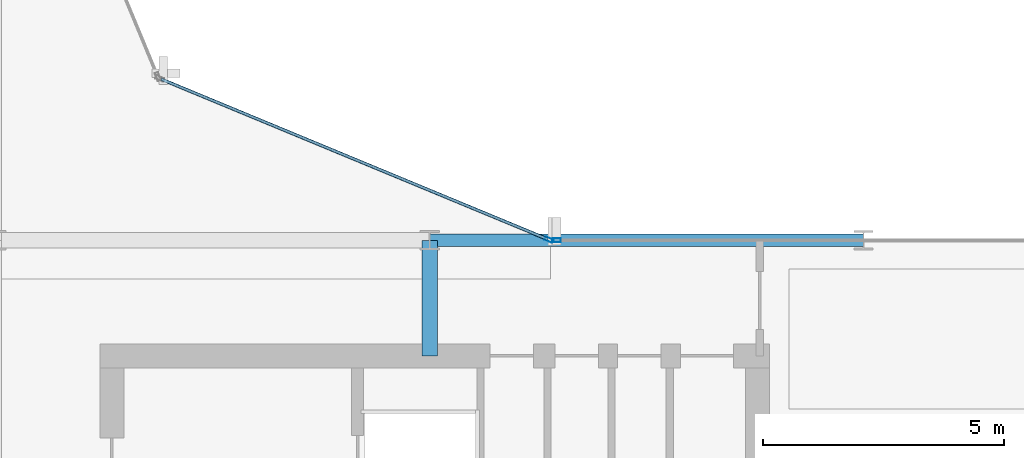
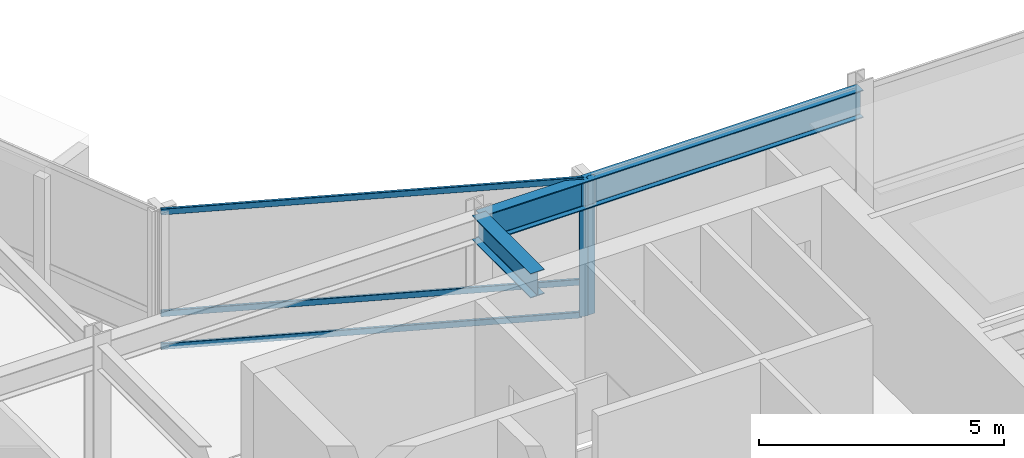
# One storey, part 12 of 28: 5 members, 2 beams, 2 elements without a shape of their own.
"""IFC4 building model written with IfcOpenShell, lengths in metres."""

from ifc_helpers import new_model, si_unit, direction, frame, origin, origin_2d, place, context, subcontext, project, spatial, hollow_rectangle, i_section, extrude, material, layer, layer_set, material_profile, profile_set, type_object, element, aggregate, save


model = new_model("IFC4")

# Units and contexts
model_context = context("Model", 3, precision=1e-05, world=origin(), true_north=direction((0.0, 1.0)))
body_context = subcontext(model_context, "Body", "Model", "MODEL_VIEW")
ifc_project = project(units=[si_unit("LENGTHUNIT", "METRE"), si_unit("AREAUNIT", "SQUARE_METRE"), si_unit("VOLUMEUNIT", "CUBIC_METRE"), si_unit("PLANEANGLEUNIT", "RADIAN"), si_unit("MASSUNIT", "GRAM", prefix="KILO")], contexts=[model_context])

# Site, building, storey
site_placement = place(None, origin())
site = spatial("IfcSite", under=ifc_project, at=site_placement, CompositionType="ELEMENT")
building_placement = place(site_placement, origin())
building = spatial("IfcBuilding", under=site, at=building_placement, Name="Solvaryn Broadcast Tower", CompositionType="ELEMENT")
storey_placement = place(building_placement, frame((0.0, 0.0, 213.60009765625)))
storey = spatial("IfcBuildingStorey", under=building, at=storey_placement, Name="L53", CompositionType="ELEMENT", Elevation=213.60009765625)

# Beams
ifc_material_1 = material(Name="Steel ASTM A992 Grade 50", Category="steel")
ifc_material_profile_1 = material_profile(ifc_material_1, i_section(OverallWidth=0.323974609375, OverallDepth=0.611083984375, WebThickness=0.0126953125, FlangeThickness=0.01904296875, FilletRadius=0.014892578125, at=origin_2d()))
ifc_profile_set_1 = profile_set([ifc_material_profile_1], Name="Steel ASTM A992 Grade 50")
beam_type_1 = type_object("IfcBeamType", Name="BM-B1-W24X104", PredefinedType="BEAM", material=ifc_profile_set_1)
beam_1_placement = place(storey_placement, frame((36.0, 24.60009765625, 3.114501953125), z_axis=(0.0, 1.0, 0.0), x_axis=(-1.0, 0.0, 0.0)))
element("IfcBeam", 1, at=beam_1_placement, inside=storey, type_object=beam_type_1, Name="L53 Core Tie Beam CTE2", PredefinedType="BEAM", context=body_context, shape_type="SweptSolid", body=[
    extrude(i_section(OverallWidth=0.323974609375, OverallDepth=0.611083984375, WebThickness=0.0126953125, FlangeThickness=0.01904296875, FilletRadius=0.014892578125, at=origin_2d()), origin(), (0.0, 0.0, 1.0), 2.39990234375),
])
ifc_material_2 = material(Name="Steel ASTM A992 Grade 50", Category="steel")
ifc_material_profile_2 = material_profile(ifc_material_2, i_section(OverallWidth=0.256103515625, OverallDepth=0.693115234375, WebThickness=0.014404296875, FlangeThickness=0.023681640625, FilletRadius=0.01611328125, at=origin_2d()))
ifc_profile_set_2 = profile_set([ifc_material_profile_2], Name="Steel ASTM A992 Grade 50")
beam_type_2 = type_object("IfcBeamType", Name="BM-SP3-W27X114", PredefinedType="USERDEFINED", material=ifc_profile_set_2)
beam_2_placement = place(storey_placement, frame((36.0, 27.0, 3.073486328125), z_axis=(1.0, 0.0, 0.0), x_axis=(0.0, 1.0, 0.0)))
element("IfcBeam", 2, at=beam_2_placement, inside=storey, type_object=beam_type_2, Name="L53 Spandrel Beam X (36-45 @ Y=27)", ObjectType="SPANDREL", PredefinedType="USERDEFINED", context=body_context, shape_type="SweptSolid", body=[
    extrude(i_section(OverallWidth=0.256103515625, OverallDepth=0.693115234375, WebThickness=0.014404296875, FlangeThickness=0.023681640625, FilletRadius=0.01611328125, at=origin_2d()), origin(), (0.0, 0.0, 1.0), 9.0),
])

# Curtain wall, member
ifc_material_3 = material(Name="Aluminium and Terracotta Unitised Curtain Wall", Category="masonry")
ifc_layer = layer(ifc_material_3, 0.199951171875)
ifc_layer_set = layer_set([ifc_layer], Name="CW-SYS2-LOWMID")
curtain_wall_type = type_object("IfcCurtainWallType", Name="CW-SYS2-LOWMID", PredefinedType="NOTDEFINED", material=ifc_layer_set)
curtain_wall_1_placement = place(storey_placement, origin())
curtain_wall_1 = element("IfcCurtainWall", 3, at=curtain_wall_1_placement, inside=storey, type_object=curtain_wall_type, Name="L53 Curtain Wall CN1", PredefinedType="NOTDEFINED")
ifc_material_4 = material(Name="Anodised Aluminium 6063-T6", Category="aluminium")
ifc_material_profile_3 = material_profile(ifc_material_4, hollow_rectangle(XDim=0.074951171875, YDim=0.179931640625, WallThickness=0.00390625, InnerFilletRadius=0.00390625, OuterFilletRadius=0.008056640625, at=origin_2d()))
ifc_profile_set_3 = profile_set([ifc_material_profile_3], Name="Anodised Aluminium 6063-T6")
member_type_1 = type_object("IfcMemberType", Name="CW-MUL-180", PredefinedType="MULLION", material=ifc_profile_set_3)
member_1_placement = place(storey_placement, frame((38.47216796875, 27.011474609375, 0.0), z_axis=(0.0, 0.0, 1.0), x_axis=(-0.382646127145, -0.923894983957, 0.0)))
member_1 = element("IfcMember", 4, at=member_1_placement, type_object=member_type_1, Name="CWS2 mullion 1", PredefinedType="MULLION", context=body_context, shape_type="SweptSolid", body=[
    extrude(hollow_rectangle(XDim=0.074951171875, YDim=0.179931640625, WallThickness=0.00390625, InnerFilletRadius=0.00390625, OuterFilletRadius=0.008056640625, at=origin_2d()), origin(), (0.0, 0.0, 1.0), 3.419921875),
])

curtain_wall_2_placement = place(storey_placement, origin())
curtain_wall_2 = element("IfcCurtainWall", 5, at=curtain_wall_2_placement, inside=storey, type_object=curtain_wall_type, Name="L53 Curtain Wall IH", PredefinedType="NOTDEFINED")
member_2_placement = place(storey_placement, frame((38.6298828125, 27.0, 0.0), z_axis=(0.0, 0.0, 1.0), x_axis=(0.0, 1.0, 0.0)))
member_2 = element("IfcMember", 6, at=member_2_placement, type_object=member_type_1, Name="CWS2 mullion 1", PredefinedType="MULLION", context=body_context, shape_type="SweptSolid", body=[
    extrude(hollow_rectangle(XDim=0.074951171875, YDim=0.179931640625, WallThickness=0.00390625, InnerFilletRadius=0.00390625, OuterFilletRadius=0.008056640625, at=origin_2d()), origin(), (0.0, 0.0, 1.0), 3.419921875),
])
aggregate(curtain_wall_2, [member_2])

# Member
ifc_material_5 = material(Name="Anodised Aluminium 6063-T6", Category="aluminium")
ifc_material_profile_4 = material_profile(ifc_material_5, hollow_rectangle(XDim=0.06494140625, YDim=0.14990234375, WallThickness=0.00390625, InnerFilletRadius=0.00390625, OuterFilletRadius=0.008056640625, at=origin_2d()))
ifc_profile_set_4 = profile_set([ifc_material_profile_4], Name="Anodised Aluminium 6063-T6")
member_type_2 = type_object("IfcMemberType", Name="CW-TRN-150", PredefinedType="USERDEFINED", material=ifc_profile_set_4)
member_3_placement = place(storey_placement, frame((38.444580078125, 27.02294921875, 0.02978515625), z_axis=(-0.923899282177, 0.382635748975, 0.0), x_axis=(-0.382635748975, -0.923899282177, 0.0)))
member_3 = element("IfcMember", 7, at=member_3_placement, type_object=member_type_2, Name="CWS2 transom 1.1", ObjectType="TRANSOM", PredefinedType="USERDEFINED", context=body_context, shape_type="SweptSolid", body=[
    extrude(hollow_rectangle(XDim=0.06494140625, YDim=0.14990234375, WallThickness=0.00390625, InnerFilletRadius=0.00390625, OuterFilletRadius=0.008056640625, at=origin_2d()), origin(), (0.0, 0.0, 1.0), 8.681884765625),
])

member_4_placement = place(storey_placement, frame((38.444580078125, 27.02294921875, 0.849853515625), z_axis=(-0.923899282177, 0.382635748975, 0.0), x_axis=(-0.382635748975, -0.923899282177, 0.0)))
member_4 = element("IfcMember", 8, at=member_4_placement, type_object=member_type_2, Name="CWS2 transom 1.2", ObjectType="TRANSOM", PredefinedType="USERDEFINED", context=body_context, shape_type="SweptSolid", body=[
    extrude(hollow_rectangle(XDim=0.06494140625, YDim=0.14990234375, WallThickness=0.00390625, InnerFilletRadius=0.00390625, OuterFilletRadius=0.008056640625, at=origin_2d()), origin(), (0.0, 0.0, 1.0), 8.681884765625),
])

member_5_placement = place(storey_placement, frame((38.444580078125, 27.02294921875, 3.389892578125), z_axis=(-0.923899282177, 0.382635748975, 0.0), x_axis=(-0.382635748975, -0.923899282177, 0.0)))
member_5 = element("IfcMember", 9, at=member_5_placement, type_object=member_type_2, Name="CWS2 transom 1.3", ObjectType="TRANSOM", PredefinedType="USERDEFINED", context=body_context, shape_type="SweptSolid", body=[
    extrude(hollow_rectangle(XDim=0.06494140625, YDim=0.14990234375, WallThickness=0.00390625, InnerFilletRadius=0.00390625, OuterFilletRadius=0.008056640625, at=origin_2d()), origin(), (0.0, 0.0, 1.0), 8.681884765625),
])

aggregate(curtain_wall_1, [member_1, member_3, member_4, member_5])

save(model, "model.ifc")
